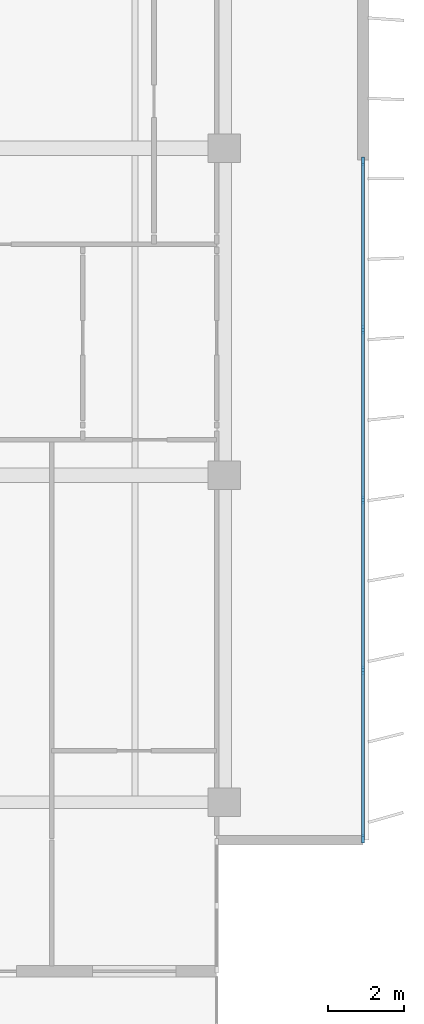
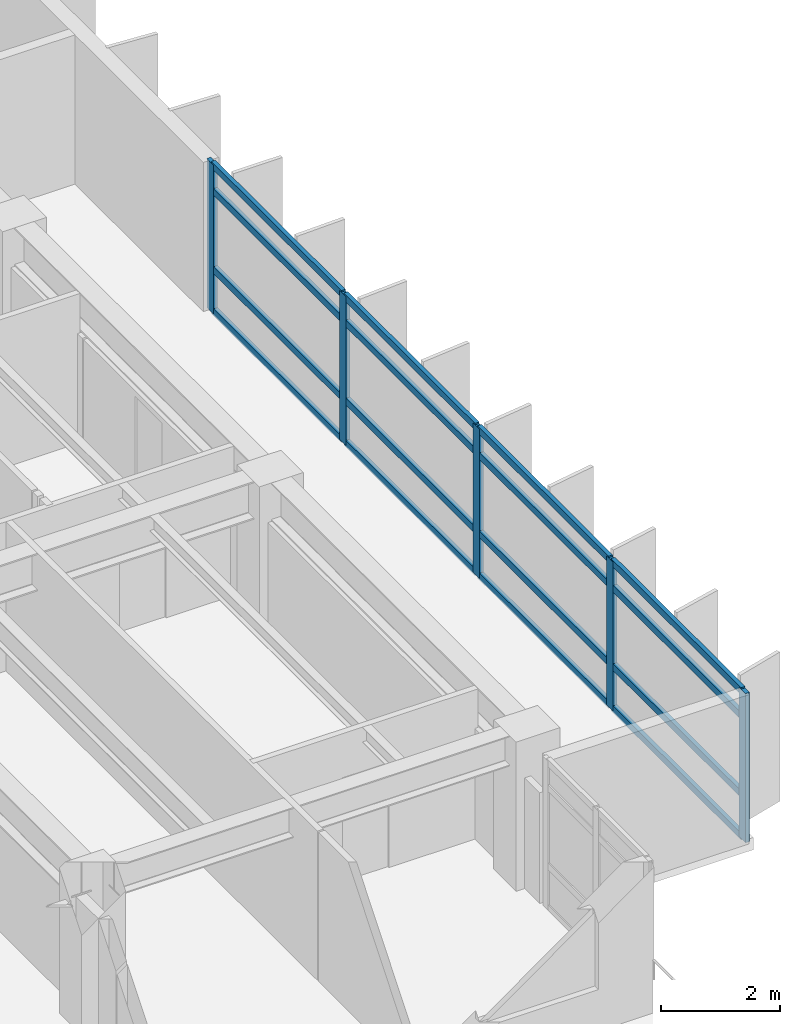
# One storey, part 6 of 19: 21 members, 1 element without a shape of its own.
"""IFC4 building model written with IfcOpenShell, lengths in metres."""

from ifc_helpers import new_model, si_unit, direction, frame, origin, origin_2d, place, context, subcontext, project, spatial, rectangle, extrude, material, layer, layer_set, material_profile, profile_set, type_object, element, aggregate, save


model = new_model("IFC4")

# Units and contexts
model_context = context("Model", 3, precision=1e-05, world=origin(), true_north=direction((0.0, 1.0)))
body_context = subcontext(model_context, "Body", "Model", "MODEL_VIEW")
ifc_project = project(units=[si_unit("LENGTHUNIT", "METRE"), si_unit("AREAUNIT", "SQUARE_METRE"), si_unit("VOLUMEUNIT", "CUBIC_METRE"), si_unit("PLANEANGLEUNIT", "RADIAN"), si_unit("MASSUNIT", "GRAM", prefix="KILO")], contexts=[model_context])

# Site, building, storey
site_placement = place(None, origin())
site = spatial("IfcSite", under=ifc_project, at=site_placement, CompositionType="ELEMENT")
building_placement = place(site_placement, origin())
building = spatial("IfcBuilding", under=site, at=building_placement, Name="Caelmar Bay Residences", CompositionType="ELEMENT")
storey_placement = place(building_placement, frame((0.0, 0.0, 195.0)))
storey = spatial("IfcBuildingStorey", under=building, at=storey_placement, Name="L54", CompositionType="ELEMENT", Elevation=195.0)

# Curtain wall, members
ifc_material_1 = material(Name="Anodised bronze aluminium 6063-T6 and laminated glass", Category="aluminium")
ifc_layer = layer(ifc_material_1, 0.179931640625)
ifc_layer_set = layer_set([ifc_layer], Name="Anodised bronze aluminium 6063-T6 and laminated glass")
curtain_wall_type = type_object("IfcCurtainWallType", Name="CW4-Z3", PredefinedType="NOTDEFINED", material=ifc_layer_set)
curtain_wall_placement = place(storey_placement, origin())
curtain_wall = element("IfcCurtainWall", 1, at=curtain_wall_placement, inside=storey, type_object=curtain_wall_type, Name="CW4 curtain wall L54", PredefinedType="NOTDEFINED")
ifc_material_2 = material(Name="Anodised bronze aluminium 6063-T6", Category="aluminium")
ifc_material_profile_1 = material_profile(ifc_material_2, rectangle(XDim=0.080078125, YDim=0.219970703125, at=origin_2d()), Name="CWM-80X220")
ifc_profile_set_1 = profile_set([ifc_material_profile_1], Name="Anodised bronze aluminium 6063-T6")
member_type_1 = type_object("IfcMemberType", Name="CWM-220", PredefinedType="MULLION", material=ifc_profile_set_1)
member_1_placement = place(storey_placement, frame((71.550048828125, 29.06005859375, 0.0), z_axis=(0.0, 0.0, 1.0), x_axis=(1.0, 0.0, 0.0)))
member_1 = element("IfcMember", 2, at=member_1_placement, type_object=member_type_1, Name="CW4 mullion 1", PredefinedType="MULLION", context=body_context, shape_type="SweptSolid", body=[
    extrude(rectangle(XDim=0.080078125, YDim=0.219970703125, at=origin_2d()), origin(), (0.0, 0.0, 1.0), 3.050048828125),
])
member_2_placement = place(storey_placement, frame((71.550048828125, 24.625, 0.0), z_axis=(0.0, 0.0, 1.0), x_axis=(1.0, 0.0, 0.0)))
member_2 = element("IfcMember", 3, at=member_2_placement, type_object=member_type_1, Name="CW4 mullion 2", PredefinedType="MULLION", context=body_context, shape_type="SweptSolid", body=[
    extrude(rectangle(XDim=0.080078125, YDim=0.219970703125, at=origin_2d()), origin(), (0.0, 0.0, 1.0), 3.050048828125),
])
member_3_placement = place(storey_placement, frame((71.550048828125, 20.14990234375, 0.0), z_axis=(0.0, 0.0, 1.0), x_axis=(1.0, 0.0, 0.0)))
member_3 = element("IfcMember", 4, at=member_3_placement, type_object=member_type_1, Name="CW4 mullion 3", PredefinedType="MULLION", context=body_context, shape_type="SweptSolid", body=[
    extrude(rectangle(XDim=0.080078125, YDim=0.219970703125, at=origin_2d()), origin(), (0.0, 0.0, 1.0), 3.050048828125),
])
member_4_placement = place(storey_placement, frame((71.550048828125, 15.675048828125, 0.0), z_axis=(0.0, 0.0, 1.0), x_axis=(1.0, 0.0, 0.0)))
member_4 = element("IfcMember", 5, at=member_4_placement, type_object=member_type_1, Name="CW4 mullion 4", PredefinedType="MULLION", context=body_context, shape_type="SweptSolid", body=[
    extrude(rectangle(XDim=0.080078125, YDim=0.219970703125, at=origin_2d()), origin(), (0.0, 0.0, 1.0), 3.050048828125),
])
member_5_placement = place(storey_placement, frame((71.550048828125, 11.239990234375, 0.0), z_axis=(0.0, 0.0, 1.0), x_axis=(1.0, 0.0, 0.0)))
member_5 = element("IfcMember", 6, at=member_5_placement, type_object=member_type_1, Name="CW4 mullion 5", PredefinedType="MULLION", context=body_context, shape_type="SweptSolid", body=[
    extrude(rectangle(XDim=0.080078125, YDim=0.219970703125, at=origin_2d()), origin(), (0.0, 0.0, 1.0), 3.050048828125),
])
ifc_material_profile_2 = material_profile(ifc_material_2, rectangle(XDim=0.080078125, YDim=0.139892578125, at=origin_2d()), Name="CWT-80X140")
ifc_profile_set_2 = profile_set([ifc_material_profile_2], Name="Anodised bronze aluminium 6063-T6")
member_type_2 = type_object("IfcMemberType", Name="CWT-140", PredefinedType="NOTDEFINED", material=ifc_profile_set_2)
member_6_placement = place(storey_placement, frame((71.550048828125, 29.02001953125, 0.0400390625), z_axis=(0.0, -1.0, 0.0), x_axis=(1.0, 0.0, 0.0)))
member_6 = element("IfcMember", 7, at=member_6_placement, type_object=member_type_2, Name="CW4 transom 1.1", ObjectType="TRANSOM", PredefinedType="USERDEFINED", context=body_context, shape_type="SweptSolid", body=[
    extrude(rectangle(XDim=0.080078125, YDim=0.139892578125, at=origin_2d()), origin(), (0.0, 0.0, 1.0), 4.35498046875),
])
member_7_placement = place(storey_placement, frame((71.550048828125, 29.02001953125, 0.89990234375), z_axis=(0.0, -1.0, 0.0), x_axis=(1.0, 0.0, 0.0)))
member_7 = element("IfcMember", 8, at=member_7_placement, type_object=member_type_2, Name="CW4 transom 1.2", ObjectType="TRANSOM", PredefinedType="USERDEFINED", context=body_context, shape_type="SweptSolid", body=[
    extrude(rectangle(XDim=0.080078125, YDim=0.139892578125, at=origin_2d()), origin(), (0.0, 0.0, 1.0), 4.35498046875),
])
member_8_placement = place(storey_placement, frame((71.550048828125, 29.02001953125, 2.5), z_axis=(0.0, -1.0, 0.0), x_axis=(1.0, 0.0, 0.0)))
member_8 = element("IfcMember", 9, at=member_8_placement, type_object=member_type_2, Name="CW4 transom 1.3", ObjectType="TRANSOM", PredefinedType="USERDEFINED", context=body_context, shape_type="SweptSolid", body=[
    extrude(rectangle(XDim=0.080078125, YDim=0.139892578125, at=origin_2d()), origin(), (0.0, 0.0, 1.0), 4.35498046875),
])
member_9_placement = place(storey_placement, frame((71.550048828125, 29.02001953125, 3.010009765625), z_axis=(0.0, -1.0, 0.0), x_axis=(1.0, 0.0, 0.0)))
member_9 = element("IfcMember", 10, at=member_9_placement, type_object=member_type_2, Name="CW4 transom 1.4", ObjectType="TRANSOM", PredefinedType="USERDEFINED", context=body_context, shape_type="SweptSolid", body=[
    extrude(rectangle(XDim=0.080078125, YDim=0.139892578125, at=origin_2d()), origin(), (0.0, 0.0, 1.0), 4.35498046875),
])
member_10_placement = place(storey_placement, frame((71.550048828125, 24.5849609375, 0.0400390625), z_axis=(0.0, -1.0, 0.0), x_axis=(1.0, 0.0, 0.0)))
member_10 = element("IfcMember", 11, at=member_10_placement, type_object=member_type_2, Name="CW4 transom 2.1", ObjectType="TRANSOM", PredefinedType="USERDEFINED", context=body_context, shape_type="SweptSolid", body=[
    extrude(rectangle(XDim=0.080078125, YDim=0.139892578125, at=origin_2d()), origin(), (0.0, 0.0, 1.0), 4.39501953125),
])
member_11_placement = place(storey_placement, frame((71.550048828125, 24.5849609375, 0.89990234375), z_axis=(0.0, -1.0, 0.0), x_axis=(1.0, 0.0, 0.0)))
member_11 = element("IfcMember", 12, at=member_11_placement, type_object=member_type_2, Name="CW4 transom 2.2", ObjectType="TRANSOM", PredefinedType="USERDEFINED", context=body_context, shape_type="SweptSolid", body=[
    extrude(rectangle(XDim=0.080078125, YDim=0.139892578125, at=origin_2d()), origin(), (0.0, 0.0, 1.0), 4.39501953125),
])
member_12_placement = place(storey_placement, frame((71.550048828125, 24.5849609375, 2.5), z_axis=(0.0, -1.0, 0.0), x_axis=(1.0, 0.0, 0.0)))
member_12 = element("IfcMember", 13, at=member_12_placement, type_object=member_type_2, Name="CW4 transom 2.3", ObjectType="TRANSOM", PredefinedType="USERDEFINED", context=body_context, shape_type="SweptSolid", body=[
    extrude(rectangle(XDim=0.080078125, YDim=0.139892578125, at=origin_2d()), origin(), (0.0, 0.0, 1.0), 4.39501953125),
])
member_13_placement = place(storey_placement, frame((71.550048828125, 24.5849609375, 3.010009765625), z_axis=(0.0, -1.0, 0.0), x_axis=(1.0, 0.0, 0.0)))
member_13 = element("IfcMember", 14, at=member_13_placement, type_object=member_type_2, Name="CW4 transom 2.4", ObjectType="TRANSOM", PredefinedType="USERDEFINED", context=body_context, shape_type="SweptSolid", body=[
    extrude(rectangle(XDim=0.080078125, YDim=0.139892578125, at=origin_2d()), origin(), (0.0, 0.0, 1.0), 4.39501953125),
])
member_14_placement = place(storey_placement, frame((71.550048828125, 20.110107421875, 0.0400390625), z_axis=(0.0, -1.0, 0.0), x_axis=(1.0, 0.0, 0.0)))
member_14 = element("IfcMember", 15, at=member_14_placement, type_object=member_type_2, Name="CW4 transom 3.1", ObjectType="TRANSOM", PredefinedType="USERDEFINED", context=body_context, shape_type="SweptSolid", body=[
    extrude(rectangle(XDim=0.080078125, YDim=0.139892578125, at=origin_2d()), origin(), (0.0, 0.0, 1.0), 4.39501953125),
])
member_15_placement = place(storey_placement, frame((71.550048828125, 20.110107421875, 0.89990234375), z_axis=(0.0, -1.0, 0.0), x_axis=(1.0, 0.0, 0.0)))
member_15 = element("IfcMember", 16, at=member_15_placement, type_object=member_type_2, Name="CW4 transom 3.2", ObjectType="TRANSOM", PredefinedType="USERDEFINED", context=body_context, shape_type="SweptSolid", body=[
    extrude(rectangle(XDim=0.080078125, YDim=0.139892578125, at=origin_2d()), origin(), (0.0, 0.0, 1.0), 4.39501953125),
])
member_16_placement = place(storey_placement, frame((71.550048828125, 20.110107421875, 2.5), z_axis=(0.0, -1.0, 0.0), x_axis=(1.0, 0.0, 0.0)))
member_16 = element("IfcMember", 17, at=member_16_placement, type_object=member_type_2, Name="CW4 transom 3.3", ObjectType="TRANSOM", PredefinedType="USERDEFINED", context=body_context, shape_type="SweptSolid", body=[
    extrude(rectangle(XDim=0.080078125, YDim=0.139892578125, at=origin_2d()), origin(), (0.0, 0.0, 1.0), 4.39501953125),
])
member_17_placement = place(storey_placement, frame((71.550048828125, 20.110107421875, 3.010009765625), z_axis=(0.0, -1.0, 0.0), x_axis=(1.0, 0.0, 0.0)))
member_17 = element("IfcMember", 18, at=member_17_placement, type_object=member_type_2, Name="CW4 transom 3.4", ObjectType="TRANSOM", PredefinedType="USERDEFINED", context=body_context, shape_type="SweptSolid", body=[
    extrude(rectangle(XDim=0.080078125, YDim=0.139892578125, at=origin_2d()), origin(), (0.0, 0.0, 1.0), 4.39501953125),
])
member_18_placement = place(storey_placement, frame((71.550048828125, 15.635009765625, 0.0400390625), z_axis=(0.0, -1.0, 0.0), x_axis=(1.0, 0.0, 0.0)))
member_18 = element("IfcMember", 19, at=member_18_placement, type_object=member_type_2, Name="CW4 transom 4.1", ObjectType="TRANSOM", PredefinedType="USERDEFINED", context=body_context, shape_type="SweptSolid", body=[
    extrude(rectangle(XDim=0.080078125, YDim=0.139892578125, at=origin_2d()), origin(), (0.0, 0.0, 1.0), 4.35498046875),
])
member_19_placement = place(storey_placement, frame((71.550048828125, 15.635009765625, 0.89990234375), z_axis=(0.0, -1.0, 0.0), x_axis=(1.0, 0.0, 0.0)))
member_19 = element("IfcMember", 20, at=member_19_placement, type_object=member_type_2, Name="CW4 transom 4.2", ObjectType="TRANSOM", PredefinedType="USERDEFINED", context=body_context, shape_type="SweptSolid", body=[
    extrude(rectangle(XDim=0.080078125, YDim=0.139892578125, at=origin_2d()), origin(), (0.0, 0.0, 1.0), 4.35498046875),
])
member_20_placement = place(storey_placement, frame((71.550048828125, 15.635009765625, 2.5), z_axis=(0.0, -1.0, 0.0), x_axis=(1.0, 0.0, 0.0)))
member_20 = element("IfcMember", 21, at=member_20_placement, type_object=member_type_2, Name="CW4 transom 4.3", ObjectType="TRANSOM", PredefinedType="USERDEFINED", context=body_context, shape_type="SweptSolid", body=[
    extrude(rectangle(XDim=0.080078125, YDim=0.139892578125, at=origin_2d()), origin(), (0.0, 0.0, 1.0), 4.35498046875),
])
member_21_placement = place(storey_placement, frame((71.550048828125, 15.635009765625, 3.010009765625), z_axis=(0.0, -1.0, 0.0), x_axis=(1.0, 0.0, 0.0)))
member_21 = element("IfcMember", 22, at=member_21_placement, type_object=member_type_2, Name="CW4 transom 4.4", ObjectType="TRANSOM", PredefinedType="USERDEFINED", context=body_context, shape_type="SweptSolid", body=[
    extrude(rectangle(XDim=0.080078125, YDim=0.139892578125, at=origin_2d()), origin(), (0.0, 0.0, 1.0), 4.35498046875),
])
aggregate(curtain_wall, [member_1, member_2, member_3, member_4, member_5, member_6, member_7, member_8, member_9, member_10, member_11, member_12, member_13, member_14, member_15, member_16, member_17, member_18, member_19, member_20, member_21])

save(model, "model.ifc")
